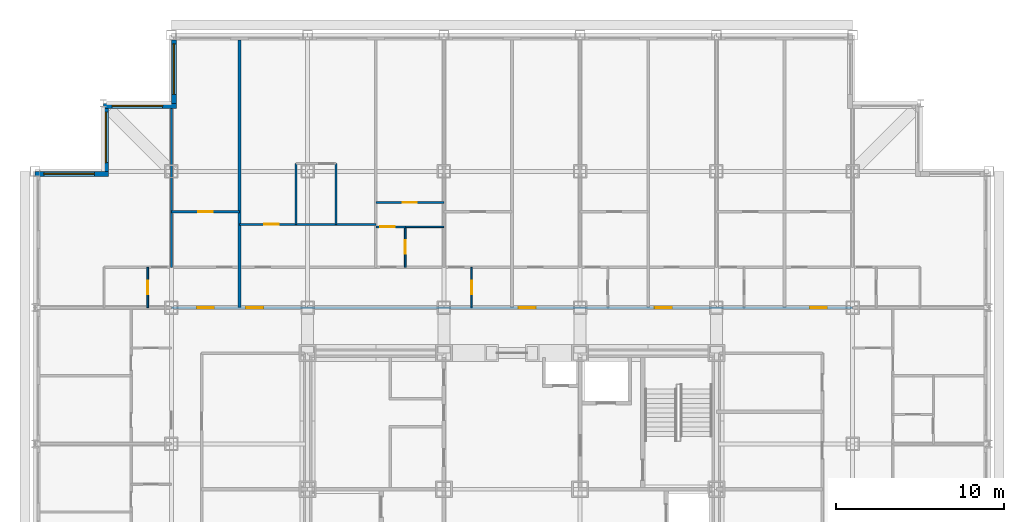
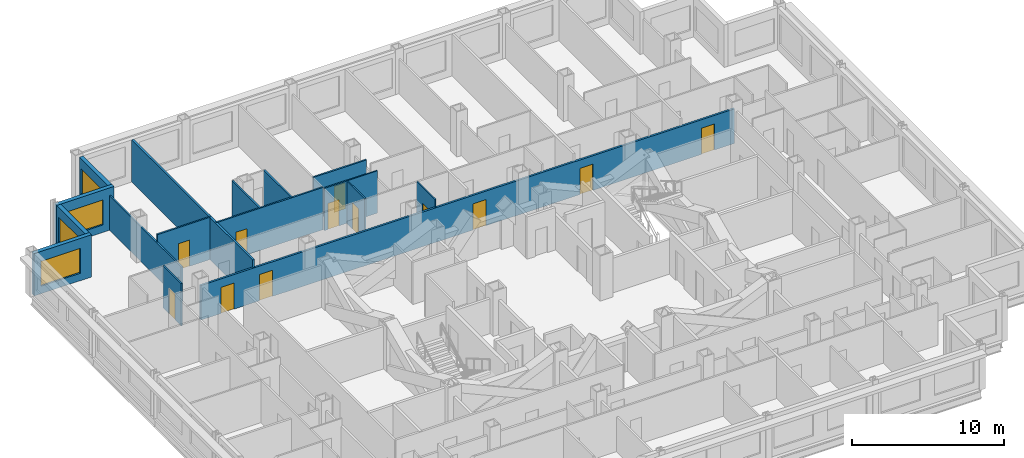
# One storey, part 9 of 12: 17 walls, 12 doors, 4 windows, 16 openings.
"""IFC4 building model written with IfcOpenShell, lengths in metres."""

import ifcopenshell
import ifcopenshell.guid

model = None  # the IFC model being written
_history = None  # IfcOwnerHistory: only IFC2X3 demands one
_inside = {}  # id of a spatial element -> (the spatial element, [elements in it])
_under = {}  # id of a project, library or spatial element -> (it, [spatial elements below it])
_declared = {}  # id of a project -> (the project, [libraries it declares])
_typed = {}  # id of a type object -> (the type object, [elements of that type])
_made_of = {}  # id of a material, layer set ... -> (it, [elements and type objects made of it])


def new_model(schema):
    """Start an empty IFC model of exactly this schema.

    Asked for "IFC4X3", IfcOpenShell would pick the latest addendum, in which some entities
    have other attributes; the version numbers below select the first issue.
    IFC2X3 requires an IfcOwnerHistory on every rooted entity: one is made here for all.
    """
    global model, _history
    if schema == "IFC4X3":
        model = ifcopenshell.file(schema_version=(4, 3, 0, 0))
    else:
        model = ifcopenshell.file(schema=schema)
    _inside.clear()
    _under.clear()
    _declared.clear()
    _typed.clear()
    _made_of.clear()
    _history = None
    if model.schema == "IFC2X3":
        org = make("IfcOrganization", Name="unknown")
        user = make(
            "IfcPersonAndOrganization",
            ThePerson=make("IfcPerson", FamilyName="unknown"),
            TheOrganization=org,
        )
        app = make(
            "IfcApplication",
            ApplicationDeveloper=org,
            Version="unknown",
            ApplicationFullName="unknown",
            ApplicationIdentifier="unknown",
        )
        _history = make(
            "IfcOwnerHistory",
            OwningUser=user,
            OwningApplication=app,
            ChangeAction="ADDED",
            CreationDate=0,
        )
    return model


def make(cls, **values):
    """One entity of the class cls with the attributes given. An attribute that is None is left unset."""
    return model.create_entity(
        cls, **{name: value for name, value in values.items() if value is not None}
    )


def rooted(cls, **values):
    """An entity with a GlobalId (a new one), such as an element, a storey or a relation."""
    return make(cls, GlobalId=ifcopenshell.guid.new(), OwnerHistory=_history, **values)


def si_unit(unit_type, name, prefix=None):
    """IfcSIUnit, for example si_unit("LENGTHUNIT", "METRE", prefix="MILLI")."""
    return make("IfcSIUnit", UnitType=unit_type, Prefix=prefix, Name=name)


def assignment(units):
    """IfcUnitAssignment: the units of a project."""
    return None if units is None else make("IfcUnitAssignment", Units=units)


def point(xyz):
    """IfcCartesianPoint."""
    return None if xyz is None else make("IfcCartesianPoint", Coordinates=xyz)


def direction(xyz):
    """IfcDirection."""
    return None if xyz is None else make("IfcDirection", DirectionRatios=xyz)


def frame(location, z_axis=None, x_axis=None):
    """IfcAxis2Placement3D, a coordinate frame: its origin and axes. An axis left out is left unset."""
    return make(
        "IfcAxis2Placement3D",
        Location=point(location),
        Axis=direction(z_axis),
        RefDirection=direction(x_axis),
    )


def frame_2d(location, x_axis=None):
    """IfcAxis2Placement2D, a coordinate frame in the plane: its origin and x axis."""
    return make(
        "IfcAxis2Placement2D", Location=point(location), RefDirection=direction(x_axis)
    )


def origin():
    """The frame at (0, 0, 0) with its axes left unset."""
    return frame((0.0, 0.0, 0.0))


def place(relative_to, where):
    """IfcLocalPlacement: puts the frame where relative to a parent placement (None: the world)."""
    return make(
        "IfcLocalPlacement", PlacementRelTo=relative_to, RelativePlacement=where
    )


def context(
    kind, dimensions, precision=None, world=None, true_north=None, identifier=None
):
    """IfcGeometricRepresentationContext, for example the 3D "Model" context."""
    return make(
        "IfcGeometricRepresentationContext",
        ContextIdentifier=identifier,
        ContextType=kind,
        CoordinateSpaceDimension=dimensions,
        Precision=precision,
        WorldCoordinateSystem=world,
        TrueNorth=true_north,
    )


def subcontext(parent, identifier, kind, view, scale=None):
    """IfcGeometricRepresentationSubContext, for example "Body" below "Model"."""
    return make(
        "IfcGeometricRepresentationSubContext",
        ContextIdentifier=identifier,
        ContextType=kind,
        ParentContext=parent,
        TargetScale=scale,
        TargetView=view,
    )


def project(units=None, contexts=None):
    """IfcProject with its units and contexts."""
    return rooted(
        "IfcProject",
        Name="project",
        RepresentationContexts=contexts,
        UnitsInContext=assignment(units),
    )


def spatial(cls, under=None, at=None, **own):
    """A site, building, storey or space (cls), placed at a placement, below another one or the project."""
    s = rooted(cls, ObjectPlacement=at, **own)
    if under is not None:
        _under.setdefault(under.id(), (under, []))[1].append(s)
    return s


def profile(cls, at=None, kind="AREA", **sizes):
    """A parametric profile (cls). Its sizes go by their IFC names, for example OverallWidth=200.0."""
    return make(cls, ProfileType=kind, Position=at, **sizes)


def rectangle(**sizes):
    """IfcRectangleProfileDef."""
    return profile("IfcRectangleProfileDef", **sizes)


def extrude(swept, where, along, depth):
    """IfcExtrudedAreaSolid: the profile swept, set in the frame where, extruded along a direction by depth."""
    return make(
        "IfcExtrudedAreaSolid",
        SweptArea=swept,
        Position=where,
        ExtrudedDirection=direction(along),
        Depth=depth,
    )


def shape(context_of_items, identifier, shape_type, items):
    """IfcShapeRepresentation: the items that make up one representation, for example the "Body"."""
    return make(
        "IfcShapeRepresentation",
        ContextOfItems=context_of_items,
        RepresentationIdentifier=identifier,
        RepresentationType=shape_type,
        Items=items,
    )


def material(Name=None, Category=None):
    """IfcMaterial."""
    return make("IfcMaterial", Name=Name, Category=Category)


def layer(
    of_material, thickness, ventilated=None, Name=None, Category=None, Priority=None
):
    """IfcMaterialLayer: one layer of a wall or slab, of a material (None: an air gap)."""
    return make(
        "IfcMaterialLayer",
        Material=of_material,
        LayerThickness=thickness,
        IsVentilated=ventilated,
        Name=Name,
        Category=Category,
        Priority=Priority,
    )


def layer_set(layers, Name=None):
    """IfcMaterialLayerSet."""
    return make("IfcMaterialLayerSet", MaterialLayers=layers, LayerSetName=Name)


def made_of(thing, what):
    """Note that an element or type object is made of a material, layer set ...; save() writes the relation."""
    if what is not None:
        _made_of.setdefault(what.id(), (what, []))[1].append(thing)
    return thing


def type_object(cls, material=None, **own):
    """A type object (cls), such as IfcWallType, which elements share."""
    return made_of(rooted(cls, **own), material)


def element(
    cls,
    number,
    at=None,
    inside=None,
    cuts=None,
    type_object=None,
    material=None,
    context=None,
    identifier="Body",
    shape_type=None,
    held_by="IfcProductDefinitionShape",
    body=None,
    shapes=None,
    **own,
):
    """One element of the class cls, such as IfcWall. Its Tag is "e" and its number.

    at: its placement. inside: the storey or other place that contains it. cuts: it is an
    opening in that element (IfcRelVoidsElement). A single representation is given by context,
    identifier, shape_type and body (its items); several are given by shapes. held_by: the class
    of the entity that holds the representations. save() writes the other relations.
    """
    e = rooted(cls, Tag="e%d" % number, ObjectPlacement=at, **own)
    if body is not None:
        shapes = [shape(context, identifier, shape_type, body)]
    if shapes is not None:
        e.Representation = make(held_by, Representations=shapes)
    if inside is not None:
        _inside.setdefault(inside.id(), (inside, []))[1].append(e)
    if cuts is not None:
        rooted(
            "IfcRelVoidsElement", RelatingBuildingElement=cuts, RelatedOpeningElement=e
        )
    if type_object is not None:
        _typed.setdefault(type_object.id(), (type_object, []))[1].append(e)
    return made_of(e, material)


def fill(opening, filler):
    """IfcRelFillsElement: the door or window that sits in an opening."""
    return rooted(
        "IfcRelFillsElement",
        RelatingOpeningElement=opening,
        RelatedBuildingElement=filler,
    )


def aggregate(whole, parts):
    """IfcRelAggregates: a whole, such as a stair, and the parts it consists of."""
    return rooted("IfcRelAggregates", RelatingObject=whole, RelatedObjects=parts)


def save(model, path):
    """Write the relations noted so far, then the file.

    IfcRelAggregates (storeys below a building ...), IfcRelContainedInSpatialStructure (elements
    in a storey), IfcRelDefinesByType, IfcRelAssociatesMaterial and IfcRelDeclares: one each for
    every whole, place, type object, material and project.
    """
    for whole, parts in _under.values():
        aggregate(whole, parts)
    for where, things in _inside.values():
        rooted(
            "IfcRelContainedInSpatialStructure",
            RelatedElements=things,
            RelatingStructure=where,
        )
    for kind, things in _typed.values():
        rooted("IfcRelDefinesByType", RelatedObjects=things, RelatingType=kind)
    for what, things in _made_of.values():
        rooted("IfcRelAssociatesMaterial", RelatedObjects=things, RelatingMaterial=what)
    for by, libraries in _declared.values():
        rooted("IfcRelDeclares", RelatingContext=by, RelatedDefinitions=libraries)
    model.write(path)


model = new_model("IFC4")

# Units and contexts
model_context = context("Model", 3, precision=1e-05, world=origin(), true_north=direction((0.0, 1.0)))
body_context = subcontext(model_context, "Body", "Model", "MODEL_VIEW")
ifc_project = project(units=[si_unit("LENGTHUNIT", "METRE"), si_unit("AREAUNIT", "SQUARE_METRE"), si_unit("VOLUMEUNIT", "CUBIC_METRE"), si_unit("PLANEANGLEUNIT", "RADIAN"), si_unit("MASSUNIT", "GRAM", prefix="KILO")], contexts=[model_context])

# Site, building, storey
site_placement = place(None, origin())
site = spatial("IfcSite", under=ifc_project, at=site_placement, CompositionType="ELEMENT")
building_placement = place(site_placement, origin())
building = spatial("IfcBuilding", under=site, at=building_placement, Name="Kopane Lantern Tower", CompositionType="ELEMENT")
storey_placement = place(building_placement, frame((0.0, 0.0, 192.0)))
storey = spatial("IfcBuildingStorey", under=building, at=storey_placement, Name="L49", CompositionType="ELEMENT", Elevation=192.0)

# Wall
ifc_material_1 = material(Name="Gypsum board on steel studs", Category="steel")
ifc_layer_1 = layer(ifc_material_1, 0.1201171875)
ifc_layer_set_1 = layer_set([ifc_layer_1], Name="APARTMENT INTERNAL WALL 120")
wall_type_1 = type_object("IfcWallType", Name="APARTMENT INTERNAL WALL 120", PredefinedType="PARTITIONING", material=ifc_layer_set_1)
wall_1_placement = place(storey_placement, frame((8.10009765625, 45.60009765625, 0.0), z_axis=(0.0, 0.0, 1.0), x_axis=(0.0, 1.0, 0.0)))
element("IfcWall", 1, at=wall_1_placement, inside=storey, type_object=wall_type_1, Name="Apartment Internal Wall 120 L49", PredefinedType="PARTITIONING", context=body_context, shape_type="SweptSolid", body=[
    extrude(rectangle(XDim=9.449951171875, YDim=0.1201171875, at=frame_2d((4.72509765625, 0.0))), origin(), (0.0, 0.0, 1.0), 2.77783203125),
])

# Wall, opening, door
wall_2_placement = place(storey_placement, frame((20.25, 48.0, 0.0), z_axis=(0.0, 0.0, 1.0), x_axis=(1.0, 0.0, 0.0)))
wall_2 = element("IfcWall", 2, at=wall_2_placement, inside=storey, type_object=wall_type_1, Name="Apartment Internal Wall 120 L49", PredefinedType="PARTITIONING", context=body_context, shape_type="SweptSolid", body=[
    extrude(rectangle(XDim=1.760009765625, YDim=0.1201171875, at=frame_2d((0.8798828125, 0.0))), origin(), (0.0, 0.0, 1.0), 3.389892578125),
])
opening_1_placement = place(wall_2_placement, frame((0.27490234375, 0.0, 0.0)))
opening_1 = element("IfcOpeningElement", 3, at=opening_1_placement, cuts=wall_2, Name="Opening L49-076", PredefinedType="OPENING", context=body_context, shape_type="SweptSolid", body=[
    extrude(rectangle(XDim=0.85009765625, YDim=2.10009765625, at=frame_2d((0.425048828125, 1.050048828125))), frame((0.0, 0.070068359375, 0.0), z_axis=(0.0, -1.0, 0.0), x_axis=(1.0, 0.0, 0.0)), (0.0, 0.0, 1.0), 0.14013671875),
])
ifc_material_2 = material(Name="Timber door set", Category="wood")
door_type_1 = type_object("IfcDoorType", Name="DOOR D4 850x2100", OperationType="SINGLE_SWING_LEFT", PredefinedType="DOOR", material=ifc_material_2)
door_1_placement = place(opening_1_placement, origin())
door_1 = element("IfcDoor", 4, at=door_1_placement, inside=storey, type_object=door_type_1, Name="Door L49-076", OperationType="SINGLE_SWING_LEFT", OverallHeight=2.10009765625, OverallWidth=0.85009765625, PredefinedType="DOOR", context=body_context, shape_type="SweptSolid", body=[
    extrude(rectangle(XDim=0.85009765625, YDim=2.10009765625, at=frame_2d((0.425048828125, 1.050048828125))), frame((0.0, 0.02490234375, 0.0), z_axis=(0.0, -1.0, 0.0), x_axis=(1.0, 0.0, 0.0)), (0.0, 0.0, 1.0), 0.050048828125),
])
fill(opening_1, door_1)

wall_3_placement = place(storey_placement, frame((12.14990234375, 48.14990234375, 0.0), z_axis=(0.0, 0.0, 1.0), x_axis=(1.0, 0.0, 0.0)))
wall_3 = element("IfcWall", 5, at=wall_3_placement, inside=storey, type_object=wall_type_1, Name="Apartment Internal Wall 120 L49", PredefinedType="PARTITIONING", context=body_context, shape_type="SweptSolid", body=[
    extrude(rectangle(XDim=8.10009765625, YDim=0.1201171875, at=frame_2d((4.050048828125, 0.0))), origin(), (0.0, 0.0, 1.0), 3.389892578125),
])
opening_2_placement = place(wall_3_placement, frame((1.47509765625, 0.0, 0.0)))
opening_2 = element("IfcOpeningElement", 6, at=opening_2_placement, cuts=wall_3, Name="Opening L49-078", PredefinedType="OPENING", context=body_context, shape_type="SweptSolid", body=[
    extrude(rectangle(XDim=0.85009765625, YDim=2.10009765625, at=frame_2d((0.425048828125, 1.050048828125))), frame((0.0, 0.070068359375, 0.0), z_axis=(0.0, -1.0, 0.0), x_axis=(1.0, 0.0, 0.0)), (0.0, 0.0, 1.0), 0.14013671875),
])
door_2_placement = place(opening_2_placement, origin())
door_2 = element("IfcDoor", 7, at=door_2_placement, inside=storey, type_object=door_type_1, Name="Door L49-078", OperationType="SINGLE_SWING_LEFT", OverallHeight=2.10009765625, OverallWidth=0.85009765625, PredefinedType="DOOR", context=body_context, shape_type="SweptSolid", body=[
    extrude(rectangle(XDim=0.85009765625, YDim=2.10009765625, at=frame_2d((0.425048828125, 1.050048828125))), frame((0.0, 0.02490234375, 0.0), z_axis=(0.0, -1.0, 0.0), x_axis=(1.0, 0.0, 0.0)), (0.0, 0.0, 1.0), 0.050048828125),
])
fill(opening_2, door_2)

wall_4_placement = place(storey_placement, frame((20.25, 49.449951171875, 0.0), z_axis=(0.0, 0.0, 1.0), x_axis=(1.0, 0.0, 0.0)))
wall_4 = element("IfcWall", 8, at=wall_4_placement, inside=storey, type_object=wall_type_1, Name="Apartment Internal Wall 120 L49", PredefinedType="PARTITIONING", context=body_context, shape_type="SweptSolid", body=[
    extrude(rectangle(XDim=4.050048828125, YDim=0.1201171875, at=frame_2d((2.02490234375, 0.0))), origin(), (0.0, 0.0, 1.0), 3.389892578125),
])
opening_3_placement = place(wall_4_placement, frame((1.60009765625, 0.0, 0.0)))
opening_3 = element("IfcOpeningElement", 9, at=opening_3_placement, cuts=wall_4, Name="Opening L49-079", PredefinedType="OPENING", context=body_context, shape_type="SweptSolid", body=[
    extrude(rectangle(XDim=0.85009765625, YDim=2.10009765625, at=frame_2d((0.425048828125, 1.050048828125))), frame((0.0, 0.070068359375, 0.0), z_axis=(0.0, -1.0, 0.0), x_axis=(1.0, 0.0, 0.0)), (0.0, 0.0, 1.0), 0.14013671875),
])
door_3_placement = place(opening_3_placement, origin())
door_3 = element("IfcDoor", 10, at=door_3_placement, inside=storey, type_object=door_type_1, Name="Door L49-079", OperationType="SINGLE_SWING_RIGHT", OverallHeight=2.10009765625, OverallWidth=0.85009765625, PredefinedType="DOOR", context=body_context, shape_type="SweptSolid", body=[
    extrude(rectangle(XDim=0.85009765625, YDim=2.10009765625, at=frame_2d((0.425048828125, 1.050048828125))), frame((0.0, 0.02490234375, 0.0), z_axis=(0.0, -1.0, 0.0), x_axis=(1.0, 0.0, 0.0)), (0.0, 0.0, 1.0), 0.050048828125),
])
fill(opening_3, door_3)

wall_5_placement = place(storey_placement, frame((8.10009765625, 48.89990234375, 0.0), z_axis=(0.0, 0.0, 1.0), x_axis=(1.0, 0.0, 0.0)))
wall_5 = element("IfcWall", 11, at=wall_5_placement, inside=storey, type_object=wall_type_1, Name="Apartment Internal Wall 120 L49", PredefinedType="PARTITIONING", context=body_context, shape_type="SweptSolid", body=[
    extrude(rectangle(XDim=4.0498046875, YDim=0.1201171875, at=frame_2d((2.02490234375, 0.0))), origin(), (0.0, 0.0, 1.0), 3.389892578125),
])
opening_4_placement = place(wall_5_placement, frame((1.60009765625, 0.0, 0.0)))
opening_4 = element("IfcOpeningElement", 12, at=opening_4_placement, cuts=wall_5, Name="Opening L49-084", PredefinedType="OPENING", context=body_context, shape_type="SweptSolid", body=[
    extrude(rectangle(XDim=0.85009765625, YDim=2.10009765625, at=frame_2d((0.425048828125, 1.050048828125))), frame((0.0, 0.070068359375, 0.0), z_axis=(0.0, -1.0, 0.0), x_axis=(1.0, 0.0, 0.0)), (0.0, 0.0, 1.0), 0.14013671875),
])
door_4_placement = place(opening_4_placement, origin())
door_4 = element("IfcDoor", 13, at=door_4_placement, inside=storey, type_object=door_type_1, Name="Door L49-084", OperationType="SINGLE_SWING_RIGHT", OverallHeight=2.10009765625, OverallWidth=0.85009765625, PredefinedType="DOOR", context=body_context, shape_type="SweptSolid", body=[
    extrude(rectangle(XDim=0.85009765625, YDim=2.10009765625, at=frame_2d((0.425048828125, 1.050048828125))), frame((0.0, 0.02490234375, 0.0), z_axis=(0.0, -1.0, 0.0), x_axis=(1.0, 0.0, 0.0)), (0.0, 0.0, 1.0), 0.050048828125),
])
fill(opening_4, door_4)

# Walls
for number, where, z_axis, x_axis, name in (
    (14, (15.5, 48.14990234375, 0.0), (0.0, 0.0, 1.0), (0.0, 1.0, 0.0), "Apartment Internal Wall 120 L49"),
    (15, (17.89990234375, 48.14990234375, 0.0), (0.0, 0.0, 1.0), (0.0, 1.0, 0.0), "Apartment Internal Wall 120 L49"),
):
    element("IfcWall", number, at=place(storey_placement, frame(where, z_axis=z_axis, x_axis=x_axis)), inside=storey, type_object=wall_type_1, Name=name, PredefinedType="PARTITIONING", context=body_context, shape_type="SweptSolid", body=[
        extrude(rectangle(XDim=3.610107421875, YDim=0.1201171875, at=frame_2d((1.80517578125, 0.0))), origin(), (0.0, 0.0, 1.0), 3.389892578125),
    ])

# Wall, opening, door
ifc_material_3 = material(Name="Moisture-resistant board on steel studs", Category="steel")
ifc_layer_2 = layer(ifc_material_3, 0.10009765625)
ifc_layer_set_2 = layer_set([ifc_layer_2], Name="BATHROOM WALL 100")
wall_type_2 = type_object("IfcWallType", Name="BATHROOM WALL 100", PredefinedType="PARTITIONING", material=ifc_layer_set_2)
wall_6_placement = place(storey_placement, frame((25.949951171875, 43.199951171875, 0.0), z_axis=(0.0, 0.0, 1.0), x_axis=(0.0, 1.0, 0.0)))
wall_6 = element("IfcWall", 16, at=wall_6_placement, inside=storey, type_object=wall_type_2, Name="Bathroom Wall 100 L49", PredefinedType="PARTITIONING", context=body_context, shape_type="SweptSolid", body=[
    extrude(rectangle(XDim=2.400146484375, YDim=0.10009765625, at=frame_2d((1.2001953125, 0.0))), origin(), (0.0, 0.0, 1.0), 3.389892578125),
])
opening_5_placement = place(wall_6_placement, frame((0.800048828125, 0.0, 0.0)))
opening_5 = element("IfcOpeningElement", 17, at=opening_5_placement, cuts=wall_6, Name="Opening L49-026", PredefinedType="OPENING", context=body_context, shape_type="SweptSolid", body=[
    extrude(rectangle(XDim=0.800048828125, YDim=2.10009765625, at=frame_2d((0.39990234375, 1.050048828125))), frame((0.0, 0.06005859375, 0.0), z_axis=(0.0, -1.0, 0.0), x_axis=(1.0, 0.0, 0.0)), (0.0, 0.0, 1.0), 0.1201171875),
])
ifc_material_4 = material(Name="Timber door set", Category="wood")
door_type_2 = type_object("IfcDoorType", Name="DOOR D2 800x2100", OperationType="SINGLE_SWING_LEFT", PredefinedType="DOOR", material=ifc_material_4)
door_5_placement = place(opening_5_placement, origin())
door_5 = element("IfcDoor", 18, at=door_5_placement, inside=storey, type_object=door_type_2, Name="Door L49-026", OperationType="SINGLE_SWING_RIGHT", OverallHeight=2.10009765625, OverallWidth=0.800048828125, PredefinedType="DOOR", context=body_context, shape_type="SweptSolid", body=[
    extrude(rectangle(XDim=0.800048828125, YDim=2.10009765625, at=frame_2d((0.39990234375, 1.050048828125))), frame((0.0, 0.02490234375, 0.0), z_axis=(0.0, -1.0, 0.0), x_axis=(1.0, 0.0, 0.0)), (0.0, 0.0, 1.0), 0.050048828125),
])
fill(opening_5, door_5)

wall_7_placement = place(storey_placement, frame((22.0, 45.60009765625, 0.0), z_axis=(0.0, 0.0, 1.0), x_axis=(0.0, 1.0, 0.0)))
wall_7 = element("IfcWall", 19, at=wall_7_placement, inside=storey, type_object=wall_type_2, Name="Bathroom Wall 100 L49", PredefinedType="PARTITIONING", context=body_context, shape_type="SweptSolid", body=[
    extrude(rectangle(XDim=2.39990234375, YDim=0.10009765625, at=frame_2d((1.199951171875, 0.0))), origin(), (0.0, 0.0, 1.0), 3.389892578125),
])
opening_6_placement = place(wall_7_placement, frame((0.800048828125, 0.0, 0.0)))
opening_6 = element("IfcOpeningElement", 20, at=opening_6_placement, cuts=wall_7, Name="Opening L49-029", PredefinedType="OPENING", context=body_context, shape_type="SweptSolid", body=[
    extrude(rectangle(XDim=0.800048828125, YDim=2.10009765625, at=frame_2d((0.39990234375, 1.050048828125))), frame((0.0, 0.06005859375, 0.0), z_axis=(0.0, -1.0, 0.0), x_axis=(1.0, 0.0, 0.0)), (0.0, 0.0, 1.0), 0.1201171875),
])
door_6_placement = place(opening_6_placement, origin())
door_6 = element("IfcDoor", 21, at=door_6_placement, inside=storey, type_object=door_type_2, Name="Door L49-029", OperationType="SINGLE_SWING_RIGHT", OverallHeight=2.10009765625, OverallWidth=0.800048828125, PredefinedType="DOOR", context=body_context, shape_type="SweptSolid", body=[
    extrude(rectangle(XDim=0.800048828125, YDim=2.10009765625, at=frame_2d((0.39990234375, 1.050048828125))), frame((0.0, 0.02490234375, 0.0), z_axis=(0.0, -1.0, 0.0), x_axis=(1.0, 0.0, 0.0)), (0.0, 0.0, 1.0), 0.050048828125),
])
fill(opening_6, door_6)

# Wall
wall_8_placement = place(storey_placement, frame((22.0, 48.0, 0.0), z_axis=(0.0, 0.0, 1.0), x_axis=(1.0, 0.0, 0.0)))
element("IfcWall", 22, at=wall_8_placement, inside=storey, type_object=wall_type_2, Name="Bathroom Wall 100 L49", PredefinedType="PARTITIONING", context=body_context, shape_type="SweptSolid", body=[
    extrude(rectangle(XDim=2.300048828125, YDim=0.10009765625, at=frame_2d((1.14990234375, 0.0))), origin(), (0.0, 0.0, 1.0), 3.389892578125),
])

# Wall, opening, door
wall_9_placement = place(storey_placement, frame((6.699951171875, 43.199951171875, 0.0), z_axis=(0.0, 0.0, 1.0), x_axis=(0.0, 1.0, 0.0)))
wall_9 = element("IfcWall", 23, at=wall_9_placement, inside=storey, type_object=wall_type_2, Name="Bathroom Wall 100 L49", PredefinedType="PARTITIONING", context=body_context, shape_type="SweptSolid", body=[
    extrude(rectangle(XDim=2.400146484375, YDim=0.10009765625, at=frame_2d((1.2001953125, 0.0))), origin(), (0.0, 0.0, 1.0), 3.389892578125),
])
opening_7_placement = place(wall_9_placement, frame((0.800048828125, 0.0, 0.0)))
opening_7 = element("IfcOpeningElement", 24, at=opening_7_placement, cuts=wall_9, Name="Opening L49-074", PredefinedType="OPENING", context=body_context, shape_type="SweptSolid", body=[
    extrude(rectangle(XDim=0.800048828125, YDim=2.10009765625, at=frame_2d((0.39990234375, 1.050048828125))), frame((0.0, 0.06005859375, 0.0), z_axis=(0.0, -1.0, 0.0), x_axis=(1.0, 0.0, 0.0)), (0.0, 0.0, 1.0), 0.1201171875),
])
door_7_placement = place(opening_7_placement, origin())
door_7 = element("IfcDoor", 25, at=door_7_placement, inside=storey, type_object=door_type_2, Name="Door L49-074", OperationType="SINGLE_SWING_LEFT", OverallHeight=2.10009765625, OverallWidth=0.800048828125, PredefinedType="DOOR", context=body_context, shape_type="SweptSolid", body=[
    extrude(rectangle(XDim=0.800048828125, YDim=2.10009765625, at=frame_2d((0.39990234375, 1.050048828125))), frame((0.0, 0.02490234375, 0.0), z_axis=(0.0, -1.0, 0.0), x_axis=(1.0, 0.0, 0.0)), (0.0, 0.0, 1.0), 0.050048828125),
])
fill(opening_7, door_7)

# Wall, openings, doors
ifc_material_5 = material(Name="Gypsum board on steel studs", Category="steel")
ifc_layer_3 = layer(ifc_material_5, 0.14990234375)
ifc_layer_set_3 = layer_set([ifc_layer_3], Name="CORRIDOR WALL 150 EI 60")
wall_type_3 = type_object("IfcWallType", Name="CORRIDOR WALL 150 EI 60", PredefinedType="PARTITIONING", material=ifc_layer_set_3)
wall_10_placement = place(storey_placement, frame((8.10009765625, 43.199951171875, 0.0), z_axis=(0.0, 0.0, 1.0), x_axis=(1.0, 0.0, 0.0)))
wall_10 = element("IfcWall", 26, at=wall_10_placement, inside=storey, type_object=wall_type_3, Name="Corridor Wall 150 Ei 60 L49", PredefinedType="PARTITIONING", context=body_context, shape_type="SweptSolid", body=[
    extrude(rectangle(XDim=40.5, YDim=0.14990234375, at=frame_2d((20.25, 0.0))), origin(), (0.0, 0.0, 1.0), 2.77783203125),
])
opening_8_placement = place(wall_10_placement, frame((4.449951171875, 0.0, 0.0)))
opening_8 = element("IfcOpeningElement", 27, at=opening_8_placement, cuts=wall_10, Name="Opening L49-027", PredefinedType="OPENING", context=body_context, shape_type="SweptSolid", body=[
    extrude(rectangle(XDim=1.0, YDim=2.10009765625, at=frame_2d((0.5, 1.050048828125))), frame((0.0, 0.0849609375, 0.0), z_axis=(0.0, -1.0, 0.0), x_axis=(1.0, 0.0, 0.0)), (0.0, 0.0, 1.0), 0.169921875),
])
opening_9_placement = place(wall_10_placement, frame((20.64990234375, 0.0, 0.0)))
opening_9 = element("IfcOpeningElement", 28, at=opening_9_placement, cuts=wall_10, Name="Opening L49-033", PredefinedType="OPENING", context=body_context, shape_type="SweptSolid", body=[
    extrude(rectangle(XDim=1.0, YDim=2.10009765625, at=frame_2d((0.5, 1.050048828125))), frame((0.0, 0.0849609375, 0.0), z_axis=(0.0, -1.0, 0.0), x_axis=(1.0, 0.0, 0.0)), (0.0, 0.0, 1.0), 0.169921875),
])
opening_10_placement = place(wall_10_placement, frame((28.75, 0.0, 0.0)))
opening_10 = element("IfcOpeningElement", 29, at=opening_10_placement, cuts=wall_10, Name="Opening L49-037", PredefinedType="OPENING", context=body_context, shape_type="SweptSolid", body=[
    extrude(rectangle(XDim=1.0, YDim=2.10009765625, at=frame_2d((0.5, 1.050048828125))), frame((0.0, 0.0849609375, 0.0), z_axis=(0.0, -1.0, 0.0), x_axis=(1.0, 0.0, 0.0)), (0.0, 0.0, 1.0), 0.169921875),
])
opening_11_placement = place(wall_10_placement, frame((37.97509765625, 0.0, 0.0)))
opening_11 = element("IfcOpeningElement", 30, at=opening_11_placement, cuts=wall_10, Name="Opening L49-068", PredefinedType="OPENING", context=body_context, shape_type="SweptSolid", body=[
    extrude(rectangle(XDim=1.0, YDim=2.10009765625, at=frame_2d((0.5, 1.050048828125))), frame((0.0, 0.0849609375, 0.0), z_axis=(0.0, -1.0, 0.0), x_axis=(1.0, 0.0, 0.0)), (0.0, 0.0, 1.0), 0.169921875),
])
opening_12_placement = place(wall_10_placement, frame((1.52490234375, 0.0, 0.0)))
opening_12 = element("IfcOpeningElement", 31, at=opening_12_placement, cuts=wall_10, Name="Opening L49-072", PredefinedType="OPENING", context=body_context, shape_type="SweptSolid", body=[
    extrude(rectangle(XDim=1.0, YDim=2.10009765625, at=frame_2d((0.5, 1.050048828125))), frame((0.0, 0.0849609375, 0.0), z_axis=(0.0, -1.0, 0.0), x_axis=(1.0, 0.0, 0.0)), (0.0, 0.0, 1.0), 0.169921875),
])
ifc_material_6 = material(Name="Steel door set", Category="steel")
door_type_3 = type_object("IfcDoorType", Name="DOOR D3 1000x2100 FD30S", OperationType="SINGLE_SWING_LEFT", PredefinedType="DOOR", material=ifc_material_6)
door_8_placement = place(opening_8_placement, origin())
door_8 = element("IfcDoor", 32, at=door_8_placement, inside=storey, type_object=door_type_3, Name="Door L49-027", OperationType="SINGLE_SWING_LEFT", OverallHeight=2.10009765625, OverallWidth=1.0, PredefinedType="DOOR", context=body_context, shape_type="SweptSolid", body=[
    extrude(rectangle(XDim=1.0, YDim=2.10009765625, at=frame_2d((0.5, 1.050048828125))), frame((0.0, 0.02490234375, 0.0), z_axis=(0.0, -1.0, 0.0), x_axis=(1.0, 0.0, 0.0)), (0.0, 0.0, 1.0), 0.050048828125),
])
fill(opening_8, door_8)
door_9_placement = place(opening_9_placement, origin())
door_9 = element("IfcDoor", 33, at=door_9_placement, inside=storey, type_object=door_type_3, Name="Door L49-033", OperationType="SINGLE_SWING_LEFT", OverallHeight=2.10009765625, OverallWidth=1.0, PredefinedType="DOOR", context=body_context, shape_type="SweptSolid", body=[
    extrude(rectangle(XDim=1.0, YDim=2.10009765625, at=frame_2d((0.5, 1.050048828125))), frame((0.0, 0.02490234375, 0.0), z_axis=(0.0, -1.0, 0.0), x_axis=(1.0, 0.0, 0.0)), (0.0, 0.0, 1.0), 0.050048828125),
])
fill(opening_9, door_9)
door_10_placement = place(opening_10_placement, origin())
door_10 = element("IfcDoor", 34, at=door_10_placement, inside=storey, type_object=door_type_3, Name="Door L49-037", OperationType="SINGLE_SWING_LEFT", OverallHeight=2.10009765625, OverallWidth=1.0, PredefinedType="DOOR", context=body_context, shape_type="SweptSolid", body=[
    extrude(rectangle(XDim=1.0, YDim=2.10009765625, at=frame_2d((0.5, 1.050048828125))), frame((0.0, 0.02490234375, 0.0), z_axis=(0.0, -1.0, 0.0), x_axis=(1.0, 0.0, 0.0)), (0.0, 0.0, 1.0), 0.050048828125),
])
fill(opening_10, door_10)
door_11_placement = place(opening_11_placement, origin())
door_11 = element("IfcDoor", 35, at=door_11_placement, inside=storey, type_object=door_type_3, Name="Door L49-068", OperationType="SINGLE_SWING_LEFT", OverallHeight=2.10009765625, OverallWidth=1.0, PredefinedType="DOOR", context=body_context, shape_type="SweptSolid", body=[
    extrude(rectangle(XDim=1.0, YDim=2.10009765625, at=frame_2d((0.5, 1.050048828125))), frame((0.0, 0.02490234375, 0.0), z_axis=(0.0, -1.0, 0.0), x_axis=(1.0, 0.0, 0.0)), (0.0, 0.0, 1.0), 0.050048828125),
])
fill(opening_11, door_11)
door_12_placement = place(opening_12_placement, origin())
door_12 = element("IfcDoor", 36, at=door_12_placement, inside=storey, type_object=door_type_3, Name="Door L49-072", OperationType="SINGLE_SWING_RIGHT", OverallHeight=2.10009765625, OverallWidth=1.0, PredefinedType="DOOR", context=body_context, shape_type="SweptSolid", body=[
    extrude(rectangle(XDim=1.0, YDim=2.10009765625, at=frame_2d((0.5, 1.050048828125))), frame((0.0, 0.02490234375, 0.0), z_axis=(0.0, -1.0, 0.0), x_axis=(1.0, 0.0, 0.0)), (0.0, 0.0, 1.0), 0.050048828125),
])
fill(opening_12, door_12)

# Wall
ifc_material_7 = material(Name="Gypsum board on steel studs", Category="steel")
ifc_layer_4 = layer(ifc_material_7, 0.14990234375)
ifc_layer_set_4 = layer_set([ifc_layer_4], Name="DEMISING WALL 150 EI 60")
wall_type_4 = type_object("IfcWallType", Name="DEMISING WALL 150 EI 60", PredefinedType="PARTITIONING", material=ifc_layer_set_4)
wall_11_placement = place(storey_placement, frame((12.14990234375, 43.199951171875, 0.0), z_axis=(0.0, 0.0, 1.0), x_axis=(0.0, 1.0, 0.0)))
element("IfcWall", 37, at=wall_11_placement, inside=storey, type_object=wall_type_4, Name="Demising Wall 150 Ei 60 L49", PredefinedType="PARTITIONING", context=body_context, shape_type="SweptSolid", body=[
    extrude(rectangle(XDim=15.900146484375, YDim=0.14990234375, at=frame_2d((7.9501953125, 0.0))), origin(), (0.0, 0.0, 1.0), 3.389892578125),
])

# Wall, opening, window
ifc_material_8 = material(Name="Terracotta rainscreen on light steel framing", Category="masonry")
ifc_layer_5 = layer(ifc_material_8, 0.300048828125)
ifc_layer_set_5 = layer_set([ifc_layer_5], Name="EXTERNAL WALL EW1 300 TERRACOTTA")
wall_type_5 = type_object("IfcWallType", Name="EXTERNAL WALL EW1 300 TERRACOTTA", PredefinedType="SOLIDWALL", material=ifc_layer_set_5)
wall_12_placement = place(storey_placement, frame((8.25, 59.10009765625, 0.0), z_axis=(0.0, 0.0, 1.0), x_axis=(0.0, -1.0, 0.0)))
wall_12 = element("IfcWall", 38, at=wall_12_placement, inside=storey, type_object=wall_type_5, Name="External wall W L49", PredefinedType="SOLIDWALL", context=body_context, shape_type="SweptSolid", body=[
    extrude(rectangle(XDim=3.75, YDim=0.300048828125, at=frame_2d((1.875, 0.0))), origin(), (0.0, 0.0, 1.0), 3.389892578125),
])
opening_13_placement = place(wall_12_placement, frame((0.22509765625, 0.0, 0.60009765625)))
opening_13 = element("IfcOpeningElement", 39, at=opening_13_placement, cuts=wall_12, Name="Opening WR300200", PredefinedType="OPENING", context=body_context, shape_type="SweptSolid", body=[
    extrude(rectangle(XDim=3.0, YDim=2.0, at=frame_2d((1.5, 1.0))), frame((0.0, 0.159912109375, 0.0), z_axis=(0.0, -1.0, 0.0), x_axis=(1.0, 0.0, 0.0)), (0.0, 0.0, 1.0), 0.320068359375),
])
ifc_material_9 = material(Name="Aluminium and clear glass", Category="aluminium")
window_type = type_object("IfcWindowType", Name="RIBBON WINDOW WR300200 3000x2000", PartitioningType="SINGLE_PANEL", PredefinedType="WINDOW", material=ifc_material_9)
window_1_placement = place(opening_13_placement, origin())
window_1 = element("IfcWindow", 40, at=window_1_placement, inside=storey, type_object=window_type, Name="Window W L49", OverallHeight=2.0, OverallWidth=3.0, PartitioningType="SINGLE_PANEL", PredefinedType="WINDOW", context=body_context, shape_type="SweptSolid", body=[
    extrude(rectangle(XDim=3.0, YDim=2.0, at=frame_2d((1.5, 1.0))), frame((0.0, 0.030029296875, 0.0), z_axis=(0.0, -1.0, 0.0), x_axis=(1.0, 0.0, 0.0)), (0.0, 0.0, 1.0), 0.06005859375),
])
fill(opening_13, window_1)

wall_13_placement = place(storey_placement, frame((8.39990234375, 55.199951171875, 0.0), z_axis=(0.0, 0.0, 1.0), x_axis=(-1.0, 0.0, 0.0)))
wall_13 = element("IfcWall", 41, at=wall_13_placement, inside=storey, type_object=wall_type_5, Name="External wall N L49", PredefinedType="SOLIDWALL", context=body_context, shape_type="SweptSolid", body=[
    extrude(rectangle(XDim=4.349853515625, YDim=0.300048828125, at=frame_2d((2.1748046875, 0.0))), origin(), (0.0, 0.0, 1.0), 3.389892578125),
])
opening_14_placement = place(wall_13_placement, frame((0.824951171875, 0.0, 0.60009765625)))
opening_14 = element("IfcOpeningElement", 42, at=opening_14_placement, cuts=wall_13, Name="Opening WR300200", PredefinedType="OPENING", context=body_context, shape_type="SweptSolid", body=[
    extrude(rectangle(XDim=3.0, YDim=2.0, at=frame_2d((1.5, 1.0))), frame((0.0, 0.159912109375, 0.0), z_axis=(0.0, -1.0, 0.0), x_axis=(1.0, 0.0, 0.0)), (0.0, 0.0, 1.0), 0.320068359375),
])
window_2_placement = place(opening_14_placement, origin())
window_2 = element("IfcWindow", 43, at=window_2_placement, inside=storey, type_object=window_type, Name="Window N L49", OverallHeight=2.0, OverallWidth=3.0, PartitioningType="SINGLE_PANEL", PredefinedType="WINDOW", context=body_context, shape_type="SweptSolid", body=[
    extrude(rectangle(XDim=3.0, YDim=2.0, at=frame_2d((1.5, 1.0))), frame((0.0, 0.030029296875, 0.0), z_axis=(0.0, -1.0, 0.0), x_axis=(1.0, 0.0, 0.0)), (0.0, 0.0, 1.0), 0.06005859375),
])
fill(opening_14, window_2)

wall_14_placement = place(storey_placement, frame((4.199951171875, 55.050048828125, 0.0), z_axis=(0.0, 0.0, 1.0), x_axis=(0.0, -1.0, 0.0)))
wall_14 = element("IfcWall", 44, at=wall_14_placement, inside=storey, type_object=wall_type_5, Name="External wall W L49", PredefinedType="SOLIDWALL", context=body_context, shape_type="SweptSolid", body=[
    extrude(rectangle(XDim=3.75, YDim=0.300048828125, at=frame_2d((1.875, 0.0))), origin(), (0.0, 0.0, 1.0), 3.389892578125),
])
opening_15_placement = place(wall_14_placement, frame((0.22509765625, 0.0, 0.60009765625)))
opening_15 = element("IfcOpeningElement", 45, at=opening_15_placement, cuts=wall_14, Name="Opening WR300200", PredefinedType="OPENING", context=body_context, shape_type="SweptSolid", body=[
    extrude(rectangle(XDim=3.0, YDim=2.0, at=frame_2d((1.5, 1.0))), frame((0.0, 0.159912109375, 0.0), z_axis=(0.0, -1.0, 0.0), x_axis=(1.0, 0.0, 0.0)), (0.0, 0.0, 1.0), 0.320068359375),
])
window_3_placement = place(opening_15_placement, origin())
window_3 = element("IfcWindow", 46, at=window_3_placement, inside=storey, type_object=window_type, Name="Window W L49", OverallHeight=2.0, OverallWidth=3.0, PartitioningType="SINGLE_PANEL", PredefinedType="WINDOW", context=body_context, shape_type="SweptSolid", body=[
    extrude(rectangle(XDim=3.0, YDim=2.0, at=frame_2d((1.5, 1.0))), frame((0.0, 0.030029296875, 0.0), z_axis=(0.0, -1.0, 0.0), x_axis=(1.0, 0.0, 0.0)), (0.0, 0.0, 1.0), 0.06005859375),
])
fill(opening_15, window_3)

wall_15_placement = place(storey_placement, frame((4.35009765625, 51.14990234375, 0.0), z_axis=(0.0, 0.0, 1.0), x_axis=(-1.0, 0.0, 0.0)))
wall_15 = element("IfcWall", 47, at=wall_15_placement, inside=storey, type_object=wall_type_5, Name="External wall N L49", PredefinedType="SOLIDWALL", context=body_context, shape_type="SweptSolid", body=[
    extrude(rectangle(XDim=4.35009765625, YDim=0.300048828125, at=frame_2d((2.175048828125, 0.0))), origin(), (0.0, 0.0, 1.0), 3.389892578125),
])
opening_16_placement = place(wall_15_placement, frame((0.824951171875, 0.0, 0.60009765625)))
opening_16 = element("IfcOpeningElement", 48, at=opening_16_placement, cuts=wall_15, Name="Opening WR300200", PredefinedType="OPENING", context=body_context, shape_type="SweptSolid", body=[
    extrude(rectangle(XDim=3.0, YDim=2.0, at=frame_2d((1.5, 1.0))), frame((0.0, 0.159912109375, 0.0), z_axis=(0.0, -1.0, 0.0), x_axis=(1.0, 0.0, 0.0)), (0.0, 0.0, 1.0), 0.320068359375),
])
window_4_placement = place(opening_16_placement, origin())
window_4 = element("IfcWindow", 49, at=window_4_placement, inside=storey, type_object=window_type, Name="Window N L49", OverallHeight=2.0, OverallWidth=3.0, PartitioningType="SINGLE_PANEL", PredefinedType="WINDOW", context=body_context, shape_type="SweptSolid", body=[
    extrude(rectangle(XDim=3.0, YDim=2.0, at=frame_2d((1.5, 1.0))), frame((0.0, 0.030029296875, 0.0), z_axis=(0.0, -1.0, 0.0), x_axis=(1.0, 0.0, 0.0)), (0.0, 0.0, 1.0), 0.06005859375),
])
fill(opening_16, window_4)

save(model, "model.ifc")
